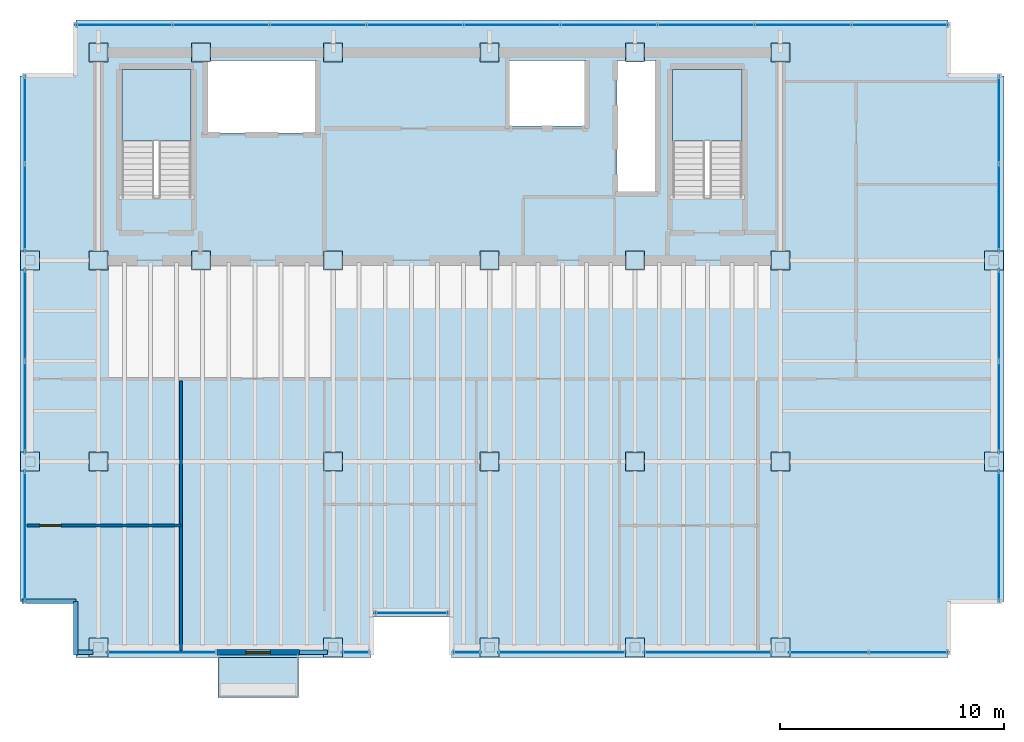
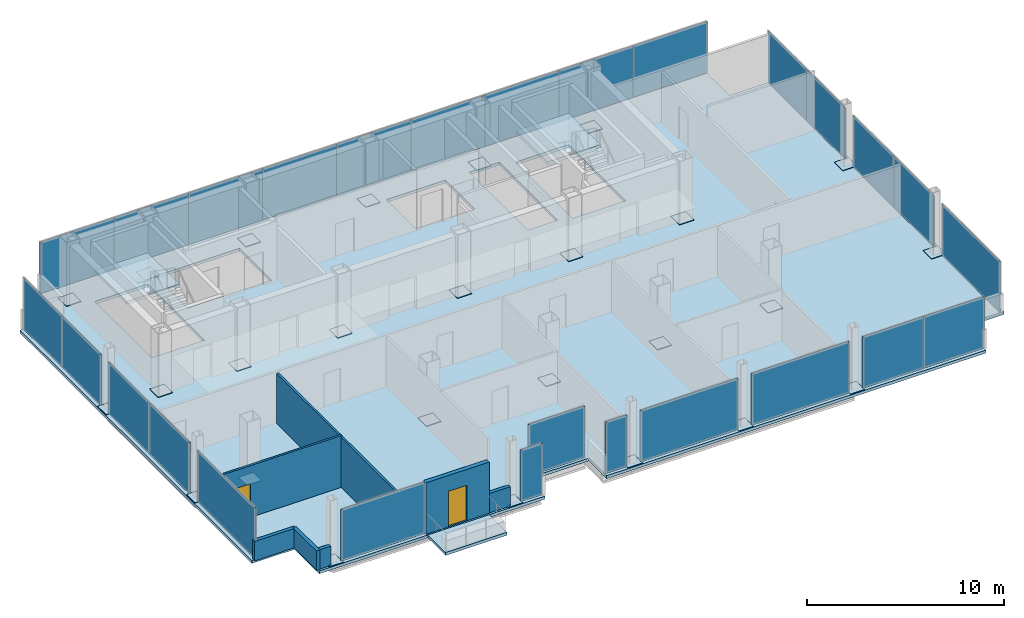
# One storey, part 12 of 15: 53 plates, 7 walls, 4 slabs, 2 doors, 7 openings, 16 elements without a shape of their own.
"""IFC4 building model written with IfcOpenShell, lengths in metres."""

from ifc_helpers import new_model, si_unit, direction, frame, frame_2d, origin, origin_2d, place, context, subcontext, project, spatial, polyline, rectangle, outline, extrude, material, layer, layer_set, type_object, element, fill, aggregate, save


model = new_model("IFC4")

# Units and contexts
model_context = context("Model", 3, precision=1e-05, world=origin(), true_north=direction((0.0, 1.0)))
body_context = subcontext(model_context, "Body", "Model", "MODEL_VIEW")
ifc_project = project(units=[si_unit("LENGTHUNIT", "METRE"), si_unit("AREAUNIT", "SQUARE_METRE"), si_unit("VOLUMEUNIT", "CUBIC_METRE"), si_unit("PLANEANGLEUNIT", "RADIAN"), si_unit("MASSUNIT", "GRAM", prefix="KILO")], contexts=[model_context])

# Site, building, storey
site_placement = place(None, origin())
site = spatial("IfcSite", under=ifc_project, at=site_placement, CompositionType="ELEMENT")
building_placement = place(site_placement, origin())
building = spatial("IfcBuilding", under=site, at=building_placement, Name="Noeulbin Bourse Tower", CompositionType="ELEMENT")
storey_placement = place(building_placement, frame((0.0, 0.0, 218.89990234375)))
storey = spatial("IfcBuildingStorey", under=building, at=storey_placement, Name="L54", CompositionType="ELEMENT", Elevation=218.89990234375)

# Curtain wall, plate
ifc_material_1 = material(Name="High-Selectivity Low-Iron Glazing", Category="glass")
curtain_wall_type = type_object("IfcCurtainWallType", Name="CW-SYS-4", PredefinedType="NOTDEFINED", material=ifc_material_1)
curtain_wall_1_placement = place(storey_placement, origin())
curtain_wall_1 = element("IfcCurtainWall", 1, at=curtain_wall_1_placement, inside=storey, type_object=curtain_wall_type, Name="Unitised Curtain Wall CW-L54-SREC", PredefinedType="NOTDEFINED")
ifc_layer_1 = layer(ifc_material_1, 0.035888671875)
ifc_layer_set_1 = layer_set([ifc_layer_1], Name="High-Selectivity Low-Iron Glazing")
plate_type_1 = type_object("IfcPlateType", Name="CW-SYS-4-PNL", PredefinedType="CURTAIN_PANEL", material=ifc_layer_set_1)
plate_1_placement = place(storey_placement, frame((27.5, 13.22998046875, 0.0), z_axis=(0.0, 0.0, 1.0), x_axis=(1.0, 0.0, 0.0)))
plate_1 = element("IfcPlate", 2, at=plate_1_placement, type_object=plate_type_1, Name="Glazed Curtain Panel CW-L54-SREC-P00", PredefinedType="CURTAIN_PANEL", context=body_context, shape_type="SweptSolid", body=[
    extrude(rectangle(XDim=3.300048828125, YDim=0.035888671875, at=origin_2d()), origin(), (0.0, 0.0, 1.0), 3.179931640625),
])
aggregate(curtain_wall_1, [plate_1])

curtain_wall_2_placement = place(storey_placement, origin())
curtain_wall_2 = element("IfcCurtainWall", 3, at=curtain_wall_2_placement, inside=storey, type_object=curtain_wall_type, Name="Unitised Curtain Wall CW-L54-S1", PredefinedType="NOTDEFINED")
plate_2_placement = place(storey_placement, frame((16.342529296875, 11.469970703125, 0.0), z_axis=(0.0, 0.0, 1.0), x_axis=(1.0, 0.0, 0.0)))
plate_2 = element("IfcPlate", 4, at=plate_2_placement, type_object=plate_type_1, Name="Glazed Curtain Panel CW-L54-S1-P00", PredefinedType="CURTAIN_PANEL", context=body_context, shape_type="SweptSolid", body=[
    extrude(rectangle(XDim=4.9150390625, YDim=0.035888671875, at=origin_2d()), origin(), (0.0, 0.0, 1.0), 3.179931640625),
])
aggregate(curtain_wall_2, [plate_2])

curtain_wall_3_placement = place(storey_placement, origin())
curtain_wall_3 = element("IfcCurtainWall", 5, at=curtain_wall_3_placement, inside=storey, type_object=curtain_wall_type, Name="Unitised Curtain Wall CW-L54-S2", PredefinedType="NOTDEFINED")
plate_3_placement = place(storey_placement, frame((25.017578125, 11.469970703125, 0.0), z_axis=(0.0, 0.0, 1.0), x_axis=(1.0, 0.0, 0.0)))
plate_3 = element("IfcPlate", 6, at=plate_3_placement, type_object=plate_type_1, Name="Glazed Curtain Panel CW-L54-S2-P00", PredefinedType="CURTAIN_PANEL", context=body_context, shape_type="SweptSolid", body=[
    extrude(rectangle(XDim=1.264892578125, YDim=0.035888671875, at=origin_2d()), origin(), (0.0, 0.0, 1.0), 3.179931640625),
])
aggregate(curtain_wall_3, [plate_3])

curtain_wall_4_placement = place(storey_placement, origin())
curtain_wall_4 = element("IfcCurtainWall", 7, at=curtain_wall_4_placement, inside=storey, type_object=curtain_wall_type, Name="Unitised Curtain Wall CW-L54-S3-S1", PredefinedType="NOTDEFINED")
plate_4_placement = place(storey_placement, frame((29.982421875, 11.469970703125, 0.0), z_axis=(0.0, 0.0, 1.0), x_axis=(1.0, 0.0, 0.0)))
plate_4 = element("IfcPlate", 8, at=plate_4_placement, type_object=plate_type_1, Name="Glazed Curtain Panel CW-L54-S3-S1-P00", PredefinedType="CURTAIN_PANEL", context=body_context, shape_type="SweptSolid", body=[
    extrude(rectangle(XDim=1.264892578125, YDim=0.035888671875, at=origin_2d()), origin(), (0.0, 0.0, 1.0), 3.179931640625),
])
aggregate(curtain_wall_4, [plate_4])

curtain_wall_5_placement = place(storey_placement, origin())
curtain_wall_5 = element("IfcCurtainWall", 9, at=curtain_wall_5_placement, inside=storey, type_object=curtain_wall_type, Name="Unitised Curtain Wall CW-L54-S3-S2", PredefinedType="NOTDEFINED")
plate_5_placement = place(storey_placement, frame((34.25, 11.469970703125, 0.0), z_axis=(0.0, 0.0, 1.0), x_axis=(1.0, 0.0, 0.0)))
plate_5 = element("IfcPlate", 10, at=plate_5_placement, type_object=plate_type_1, Name="Glazed Curtain Panel CW-L54-S3-S2-P00", PredefinedType="CURTAIN_PANEL", context=body_context, shape_type="SweptSolid", body=[
    extrude(rectangle(XDim=5.72998046875, YDim=0.035888671875, at=origin_2d()), origin(), (0.0, 0.0, 1.0), 3.179931640625),
])
aggregate(curtain_wall_5, [plate_5])

curtain_wall_6_placement = place(storey_placement, origin())
curtain_wall_6 = element("IfcCurtainWall", 11, at=curtain_wall_6_placement, inside=storey, type_object=curtain_wall_type, Name="Unitised Curtain Wall CW-L54-S3-S3", PredefinedType="NOTDEFINED")
plate_6_placement = place(storey_placement, frame((40.75, 11.469970703125, 0.0), z_axis=(0.0, 0.0, 1.0), x_axis=(1.0, 0.0, 0.0)))
plate_6 = element("IfcPlate", 12, at=plate_6_placement, type_object=plate_type_1, Name="Glazed Curtain Panel CW-L54-S3-S3-P00", PredefinedType="CURTAIN_PANEL", context=body_context, shape_type="SweptSolid", body=[
    extrude(rectangle(XDim=5.72998046875, YDim=0.035888671875, at=origin_2d()), origin(), (0.0, 0.0, 1.0), 3.179931640625),
])
aggregate(curtain_wall_6, [plate_6])

# Curtain wall, plates
curtain_wall_7_placement = place(storey_placement, origin())
curtain_wall_7 = element("IfcCurtainWall", 13, at=curtain_wall_7_placement, inside=storey, type_object=curtain_wall_type, Name="Unitised Curtain Wall CW-L54-S3-S4", PredefinedType="NOTDEFINED")
plate_7_placement = place(storey_placement, frame((46.168701171875, 11.469970703125, 0.0), z_axis=(0.0, 0.0, 1.0), x_axis=(1.0, 0.0, 0.0)))
plate_7 = element("IfcPlate", 14, at=plate_7_placement, type_object=plate_type_1, Name="Glazed Curtain Panel CW-L54-S3-S4-P00", PredefinedType="CURTAIN_PANEL", context=body_context, shape_type="SweptSolid", body=[
    extrude(rectangle(XDim=3.5673828125, YDim=0.035888671875, at=origin_2d()), origin(), (0.0, 0.0, 1.0), 3.179931640625),
])
plate_8_placement = place(storey_placement, frame((49.736083984375, 11.469970703125, 0.0), z_axis=(0.0, 0.0, 1.0), x_axis=(1.0, 0.0, 0.0)))
plate_8 = element("IfcPlate", 15, at=plate_8_placement, type_object=plate_type_1, Name="Glazed Curtain Panel CW-L54-S3-S4-P01", PredefinedType="CURTAIN_PANEL", context=body_context, shape_type="SweptSolid", body=[
    extrude(rectangle(XDim=3.5673828125, YDim=0.035888671875, at=origin_2d()), origin(), (0.0, 0.0, 1.0), 3.179931640625),
])
aggregate(curtain_wall_7, [plate_7, plate_8])

curtain_wall_8_placement = place(storey_placement, origin())
curtain_wall_8 = element("IfcCurtainWall", 16, at=curtain_wall_8_placement, inside=storey, type_object=curtain_wall_type, Name="Unitised Curtain Wall CW-L54-N", PredefinedType="NOTDEFINED")
plate_9_placement = place(storey_placement, frame((14.64892578125, 39.530029296875, 0.0), z_axis=(0.0, 0.0, 1.0), x_axis=(1.0, 0.0, 0.0)))
plate_9 = element("IfcPlate", 17, at=plate_9_placement, type_object=plate_type_1, Name="Glazed Curtain Panel CW-L54-N-P00", PredefinedType="CURTAIN_PANEL", context=body_context, shape_type="SweptSolid", body=[
    extrude(rectangle(XDim=4.337890625, YDim=0.035888671875, at=origin_2d()), origin(), (0.0, 0.0, 1.0), 3.179931640625),
])
plate_10_placement = place(storey_placement, frame((18.98681640625, 39.530029296875, 0.0), z_axis=(0.0, 0.0, 1.0), x_axis=(1.0, 0.0, 0.0)))
plate_10 = element("IfcPlate", 18, at=plate_10_placement, type_object=plate_type_1, Name="Glazed Curtain Panel CW-L54-N-P01", PredefinedType="CURTAIN_PANEL", context=body_context, shape_type="SweptSolid", body=[
    extrude(rectangle(XDim=4.337890625, YDim=0.035888671875, at=origin_2d()), origin(), (0.0, 0.0, 1.0), 3.179931640625),
])
plate_11_placement = place(storey_placement, frame((23.324462890625, 39.530029296875, 0.0), z_axis=(0.0, 0.0, 1.0), x_axis=(1.0, 0.0, 0.0)))
plate_11 = element("IfcPlate", 19, at=plate_11_placement, type_object=plate_type_1, Name="Glazed Curtain Panel CW-L54-N-P02", PredefinedType="CURTAIN_PANEL", context=body_context, shape_type="SweptSolid", body=[
    extrude(rectangle(XDim=4.337890625, YDim=0.035888671875, at=origin_2d()), origin(), (0.0, 0.0, 1.0), 3.179931640625),
])
plate_12_placement = place(storey_placement, frame((27.662109375, 39.530029296875, 0.0), z_axis=(0.0, 0.0, 1.0), x_axis=(1.0, 0.0, 0.0)))
plate_12 = element("IfcPlate", 20, at=plate_12_placement, type_object=plate_type_1, Name="Glazed Curtain Panel CW-L54-N-P03", PredefinedType="CURTAIN_PANEL", context=body_context, shape_type="SweptSolid", body=[
    extrude(rectangle(XDim=4.337890625, YDim=0.035888671875, at=origin_2d()), origin(), (0.0, 0.0, 1.0), 3.179931640625),
])
plate_13_placement = place(storey_placement, frame((32.0, 39.530029296875, 0.0), z_axis=(0.0, 0.0, 1.0), x_axis=(1.0, 0.0, 0.0)))
plate_13 = element("IfcPlate", 21, at=plate_13_placement, type_object=plate_type_1, Name="Glazed Curtain Panel CW-L54-N-P04", PredefinedType="CURTAIN_PANEL", context=body_context, shape_type="SweptSolid", body=[
    extrude(rectangle(XDim=4.337890625, YDim=0.035888671875, at=origin_2d()), origin(), (0.0, 0.0, 1.0), 3.179931640625),
])
plate_14_placement = place(storey_placement, frame((36.337890625, 39.530029296875, 0.0), z_axis=(0.0, 0.0, 1.0), x_axis=(1.0, 0.0, 0.0)))
plate_14 = element("IfcPlate", 22, at=plate_14_placement, type_object=plate_type_1, Name="Glazed Curtain Panel CW-L54-N-P05", PredefinedType="CURTAIN_PANEL", context=body_context, shape_type="SweptSolid", body=[
    extrude(rectangle(XDim=4.337890625, YDim=0.035888671875, at=origin_2d()), origin(), (0.0, 0.0, 1.0), 3.179931640625),
])
plate_15_placement = place(storey_placement, frame((40.675537109375, 39.530029296875, 0.0), z_axis=(0.0, 0.0, 1.0), x_axis=(1.0, 0.0, 0.0)))
plate_15 = element("IfcPlate", 23, at=plate_15_placement, type_object=plate_type_1, Name="Glazed Curtain Panel CW-L54-N-P06", PredefinedType="CURTAIN_PANEL", context=body_context, shape_type="SweptSolid", body=[
    extrude(rectangle(XDim=4.337890625, YDim=0.035888671875, at=origin_2d()), origin(), (0.0, 0.0, 1.0), 3.179931640625),
])
plate_16_placement = place(storey_placement, frame((45.01318359375, 39.530029296875, 0.0), z_axis=(0.0, 0.0, 1.0), x_axis=(1.0, 0.0, 0.0)))
plate_16 = element("IfcPlate", 24, at=plate_16_placement, type_object=plate_type_1, Name="Glazed Curtain Panel CW-L54-N-P07", PredefinedType="CURTAIN_PANEL", context=body_context, shape_type="SweptSolid", body=[
    extrude(rectangle(XDim=4.337890625, YDim=0.035888671875, at=origin_2d()), origin(), (0.0, 0.0, 1.0), 3.179931640625),
])
plate_17_placement = place(storey_placement, frame((49.35107421875, 39.530029296875, 0.0), z_axis=(0.0, 0.0, 1.0), x_axis=(1.0, 0.0, 0.0)))
plate_17 = element("IfcPlate", 25, at=plate_17_placement, type_object=plate_type_1, Name="Glazed Curtain Panel CW-L54-N-P08", PredefinedType="CURTAIN_PANEL", context=body_context, shape_type="SweptSolid", body=[
    extrude(rectangle(XDim=4.337890625, YDim=0.035888671875, at=origin_2d()), origin(), (0.0, 0.0, 1.0), 3.179931640625),
])
aggregate(curtain_wall_8, [plate_9, plate_10, plate_11, plate_12, plate_13, plate_14, plate_15, plate_16, plate_17])

# Curtain wall, plate
curtain_wall_9_placement = place(storey_placement, origin())
curtain_wall_9 = element("IfcCurtainWall", 26, at=curtain_wall_9_placement, inside=storey, type_object=curtain_wall_type, Name="Unitised Curtain Wall CW-L54-W-S1", PredefinedType="NOTDEFINED")
plate_18_placement = place(storey_placement, frame((10.219970703125, 16.672607421875, 0.0), z_axis=(0.0, 0.0, 1.0), x_axis=(0.0, 1.0, 0.0)))
plate_18 = element("IfcPlate", 27, at=plate_18_placement, type_object=plate_type_1, Name="Glazed Curtain Panel CW-L54-W-S1-P00", PredefinedType="CURTAIN_PANEL", context=body_context, shape_type="SweptSolid", body=[
    extrude(rectangle(XDim=5.885009765625, YDim=0.035888671875, at=origin_2d()), origin(), (0.0, 0.0, 1.0), 3.179931640625),
])
aggregate(curtain_wall_9, [plate_18])

# Curtain wall, plates
curtain_wall_10_placement = place(storey_placement, origin())
curtain_wall_10 = element("IfcCurtainWall", 28, at=curtain_wall_10_placement, inside=storey, type_object=curtain_wall_type, Name="Unitised Curtain Wall CW-L54-W-S2", PredefinedType="NOTDEFINED")
plate_19_placement = place(storey_placement, frame((10.219970703125, 22.4423828125, 0.0), z_axis=(0.0, 0.0, 1.0), x_axis=(0.0, 1.0, 0.0)))
plate_19 = element("IfcPlate", 29, at=plate_19_placement, type_object=plate_type_1, Name="Glazed Curtain Panel CW-L54-W-S2-P00", PredefinedType="CURTAIN_PANEL", context=body_context, shape_type="SweptSolid", body=[
    extrude(rectangle(XDim=4.114990234375, YDim=0.035888671875, at=origin_2d()), origin(), (0.0, 0.0, 1.0), 3.179931640625),
])
plate_20_placement = place(storey_placement, frame((10.219970703125, 26.5576171875, 0.0), z_axis=(0.0, 0.0, 1.0), x_axis=(0.0, 1.0, 0.0)))
plate_20 = element("IfcPlate", 30, at=plate_20_placement, type_object=plate_type_1, Name="Glazed Curtain Panel CW-L54-W-S2-P01", PredefinedType="CURTAIN_PANEL", context=body_context, shape_type="SweptSolid", body=[
    extrude(rectangle(XDim=4.114990234375, YDim=0.035888671875, at=origin_2d()), origin(), (0.0, 0.0, 1.0), 3.179931640625),
])
aggregate(curtain_wall_10, [plate_19, plate_20])

curtain_wall_11_placement = place(storey_placement, origin())
curtain_wall_11 = element("IfcCurtainWall", 31, at=curtain_wall_11_placement, inside=storey, type_object=curtain_wall_type, Name="Unitised Curtain Wall CW-L54-W-S3", PredefinedType="NOTDEFINED")
plate_21_placement = place(storey_placement, frame((10.219970703125, 31.356201171875, 0.0), z_axis=(0.0, 0.0, 1.0), x_axis=(0.0, 1.0, 0.0)))
plate_21 = element("IfcPlate", 32, at=plate_21_placement, type_object=plate_type_1, Name="Glazed Curtain Panel CW-L54-W-S3-P00", PredefinedType="CURTAIN_PANEL", context=body_context, shape_type="SweptSolid", body=[
    extrude(rectangle(XDim=3.9423828125, YDim=0.035888671875, at=origin_2d()), origin(), (0.0, 0.0, 1.0), 3.179931640625),
])
plate_22_placement = place(storey_placement, frame((10.219970703125, 35.298828125, 0.0), z_axis=(0.0, 0.0, 1.0), x_axis=(0.0, 1.0, 0.0)))
plate_22 = element("IfcPlate", 33, at=plate_22_placement, type_object=plate_type_1, Name="Glazed Curtain Panel CW-L54-W-S3-P01", PredefinedType="CURTAIN_PANEL", context=body_context, shape_type="SweptSolid", body=[
    extrude(rectangle(XDim=3.9423828125, YDim=0.035888671875, at=origin_2d()), origin(), (0.0, 0.0, 1.0), 3.179931640625),
])
aggregate(curtain_wall_11, [plate_21, plate_22])

# Curtain wall, plate
curtain_wall_12_placement = place(storey_placement, origin())
curtain_wall_12 = element("IfcCurtainWall", 34, at=curtain_wall_12_placement, inside=storey, type_object=curtain_wall_type, Name="Unitised Curtain Wall CW-L54-E-S1", PredefinedType="NOTDEFINED")
plate_23_placement = place(storey_placement, frame((53.780029296875, 16.672607421875, 0.0), z_axis=(0.0, 0.0, 1.0), x_axis=(0.0, 1.0, 0.0)))
plate_23 = element("IfcPlate", 35, at=plate_23_placement, type_object=plate_type_1, Name="Glazed Curtain Panel CW-L54-E-S1-P00", PredefinedType="CURTAIN_PANEL", context=body_context, shape_type="SweptSolid", body=[
    extrude(rectangle(XDim=5.885009765625, YDim=0.035888671875, at=origin_2d()), origin(), (0.0, 0.0, 1.0), 3.179931640625),
])
aggregate(curtain_wall_12, [plate_23])

# Curtain wall, plates
curtain_wall_13_placement = place(storey_placement, origin())
curtain_wall_13 = element("IfcCurtainWall", 36, at=curtain_wall_13_placement, inside=storey, type_object=curtain_wall_type, Name="Unitised Curtain Wall CW-L54-E-S2", PredefinedType="NOTDEFINED")
plate_24_placement = place(storey_placement, frame((53.780029296875, 22.4423828125, 0.0), z_axis=(0.0, 0.0, 1.0), x_axis=(0.0, 1.0, 0.0)))
plate_24 = element("IfcPlate", 37, at=plate_24_placement, type_object=plate_type_1, Name="Glazed Curtain Panel CW-L54-E-S2-P00", PredefinedType="CURTAIN_PANEL", context=body_context, shape_type="SweptSolid", body=[
    extrude(rectangle(XDim=4.114990234375, YDim=0.035888671875, at=origin_2d()), origin(), (0.0, 0.0, 1.0), 3.179931640625),
])
plate_25_placement = place(storey_placement, frame((53.780029296875, 26.5576171875, 0.0), z_axis=(0.0, 0.0, 1.0), x_axis=(0.0, 1.0, 0.0)))
plate_25 = element("IfcPlate", 38, at=plate_25_placement, type_object=plate_type_1, Name="Glazed Curtain Panel CW-L54-E-S2-P01", PredefinedType="CURTAIN_PANEL", context=body_context, shape_type="SweptSolid", body=[
    extrude(rectangle(XDim=4.114990234375, YDim=0.035888671875, at=origin_2d()), origin(), (0.0, 0.0, 1.0), 3.179931640625),
])
aggregate(curtain_wall_13, [plate_24, plate_25])

curtain_wall_14_placement = place(storey_placement, origin())
curtain_wall_14 = element("IfcCurtainWall", 39, at=curtain_wall_14_placement, inside=storey, type_object=curtain_wall_type, Name="Unitised Curtain Wall CW-L54-E-S3", PredefinedType="NOTDEFINED")
plate_26_placement = place(storey_placement, frame((53.780029296875, 31.356201171875, 0.0), z_axis=(0.0, 0.0, 1.0), x_axis=(0.0, 1.0, 0.0)))
plate_26 = element("IfcPlate", 40, at=plate_26_placement, type_object=plate_type_1, Name="Glazed Curtain Panel CW-L54-E-S3-P00", PredefinedType="CURTAIN_PANEL", context=body_context, shape_type="SweptSolid", body=[
    extrude(rectangle(XDim=3.9423828125, YDim=0.035888671875, at=origin_2d()), origin(), (0.0, 0.0, 1.0), 3.179931640625),
])
plate_27_placement = place(storey_placement, frame((53.780029296875, 35.298828125, 0.0), z_axis=(0.0, 0.0, 1.0), x_axis=(0.0, 1.0, 0.0)))
plate_27 = element("IfcPlate", 41, at=plate_27_placement, type_object=plate_type_1, Name="Glazed Curtain Panel CW-L54-E-S3-P01", PredefinedType="CURTAIN_PANEL", context=body_context, shape_type="SweptSolid", body=[
    extrude(rectangle(XDim=3.9423828125, YDim=0.035888671875, at=origin_2d()), origin(), (0.0, 0.0, 1.0), 3.179931640625),
])
aggregate(curtain_wall_14, [plate_26, plate_27])

# Plates
ifc_material_2 = material(Name="Steel S355", Category="steel")
ifc_layer_2 = layer(ifc_material_2, 0.030029296875)
ifc_layer_set_2 = layer_set([ifc_layer_2], Name="Steel S355")
plate_type_2 = type_object("IfcPlateType", Name="PLT-BN1", PredefinedType="USERDEFINED", material=ifc_layer_set_2)
for number, where, z_axis, x_axis, name in (
    (42, (13.5, 29.0, 0.0048828125), (0.0, 0.0, 1.0), (1.0, 0.0, 0.0), "Mega-Column Splice Plate BN1-L54-01"),
    (43, (13.5, 38.300048828125, 0.0048828125), (0.0, 0.0, 1.0), (1.0, 0.0, 0.0), "Mega-Column Splice Plate BN1-L54-02"),
    (44, (18.10009765625, 29.0, 0.0048828125), (0.0, 0.0, 1.0), (1.0, 0.0, 0.0), "Mega-Column Splice Plate BN1-L54-03"),
    (45, (18.10009765625, 38.300048828125, 0.0048828125), (0.0, 0.0, 1.0), (1.0, 0.0, 0.0), "Mega-Column Splice Plate BN1-L54-04"),
    (46, (24.0, 29.0, 0.0048828125), (0.0, 0.0, 1.0), (1.0, 0.0, 0.0), "Mega-Column Splice Plate BN1-L54-05"),
    (47, (24.0, 38.300048828125, 0.0048828125), (0.0, 0.0, 1.0), (1.0, 0.0, 0.0), "Mega-Column Splice Plate BN1-L54-06"),
    (48, (31.0, 29.0, 0.0048828125), (0.0, 0.0, 1.0), (1.0, 0.0, 0.0), "Mega-Column Splice Plate BN1-L54-07"),
    (49, (31.0, 38.300048828125, 0.0048828125), (0.0, 0.0, 1.0), (1.0, 0.0, 0.0), "Mega-Column Splice Plate BN1-L54-08"),
    (50, (37.5, 29.0, 0.0048828125), (0.0, 0.0, 1.0), (1.0, 0.0, 0.0), "Mega-Column Splice Plate BN1-L54-09"),
    (51, (37.5, 38.300048828125, 0.0048828125), (0.0, 0.0, 1.0), (1.0, 0.0, 0.0), "Mega-Column Splice Plate BN1-L54-10"),
    (52, (44.0, 29.0, 0.0048828125), (0.0, 0.0, 1.0), (1.0, 0.0, 0.0), "Mega-Column Splice Plate BN1-L54-11"),
    (53, (44.0, 38.300048828125, 0.0048828125), (0.0, 0.0, 1.0), (1.0, 0.0, 0.0), "Mega-Column Splice Plate BN1-L54-12"),
    (54, (13.5, 20.0, 0.0048828125), (0.0, 0.0, 1.0), (1.0, 0.0, 0.0), "Mega-Column Splice Plate BN1-L54-13"),
    (55, (24.0, 20.0, 0.0048828125), (0.0, 0.0, 1.0), (1.0, 0.0, 0.0), "Mega-Column Splice Plate BN1-L54-14"),
    (56, (31.0, 20.0, 0.0048828125), (0.0, 0.0, 1.0), (1.0, 0.0, 0.0), "Mega-Column Splice Plate BN1-L54-15"),
    (57, (37.5, 20.0, 0.0048828125), (0.0, 0.0, 1.0), (1.0, 0.0, 0.0), "Mega-Column Splice Plate BN1-L54-16"),
    (58, (44.0, 20.0, 0.0048828125), (0.0, 0.0, 1.0), (1.0, 0.0, 0.0), "Mega-Column Splice Plate BN1-L54-17"),
    (59, (10.449951171875, 20.0, 0.0048828125), (0.0, 0.0, 1.0), (1.0, 0.0, 0.0), "Perimeter Column Splice Plate BN1-L54-01"),
    (60, (10.449951171875, 29.0, 0.0048828125), (0.0, 0.0, 1.0), (1.0, 0.0, 0.0), "Perimeter Column Splice Plate BN1-L54-02"),
    (61, (13.5, 11.699951171875, 0.0048828125), (0.0, 0.0, 1.0), (1.0, 0.0, 0.0), "Perimeter Column Splice Plate BN1-L54-03"),
    (62, (24.0, 11.699951171875, 0.0048828125), (0.0, 0.0, 1.0), (1.0, 0.0, 0.0), "Perimeter Column Splice Plate BN1-L54-04"),
    (63, (31.0, 11.699951171875, 0.0048828125), (0.0, 0.0, 1.0), (1.0, 0.0, 0.0), "Perimeter Column Splice Plate BN1-L54-05"),
    (64, (37.5, 11.699951171875, 0.0048828125), (0.0, 0.0, 1.0), (1.0, 0.0, 0.0), "Perimeter Column Splice Plate BN1-L54-06"),
    (65, (44.0, 11.699951171875, 0.0048828125), (0.0, 0.0, 1.0), (1.0, 0.0, 0.0), "Perimeter Column Splice Plate BN1-L54-07"),
    (66, (53.550048828125, 20.0, 0.0048828125), (0.0, 0.0, 1.0), (1.0, 0.0, 0.0), "Perimeter Column Splice Plate BN1-L54-08"),
    (67, (53.550048828125, 29.0, 0.0048828125), (0.0, 0.0, 1.0), (1.0, 0.0, 0.0), "Perimeter Column Splice Plate BN1-L54-09"),
):
    element("IfcPlate", number, at=place(storey_placement, frame(where, z_axis=z_axis, x_axis=x_axis)), inside=storey, type_object=plate_type_2, Name=name, ObjectType="SPLICE PLATE", PredefinedType="USERDEFINED", context=body_context, shape_type="SweptSolid", body=[
        extrude(rectangle(XDim=0.85009765625, YDim=0.85009765625, at=origin_2d()), origin(), (0.0, 0.0, 1.0), 0.030029296875),
    ])

# Stair, slab
ifc_material_3 = material(Name="Concrete C40/50", Category="concrete")
stair_type = type_object("IfcStairType", Name="STR-CORE-1560", PredefinedType="HALF_TURN_STAIR", material=ifc_material_3)
stair_1_placement = place(storey_placement, origin())
stair_1 = element("IfcStair", 68, at=stair_1_placement, inside=storey, type_object=stair_type, Name="L54 ST-1", PredefinedType="HALF_TURN_STAIR")
ifc_layer_3 = layer(ifc_material_3, 0.199951171875)
ifc_layer_set_3 = layer_set([ifc_layer_3], Name="Concrete C40/50")
slab_type_1 = type_object("IfcSlabType", Name="SLB-LND-200", PredefinedType="LANDING", material=ifc_layer_set_3)
slab_1_placement = place(storey_placement, frame((0.0, 0.0, 1.75)))
slab_1 = element("IfcSlab", 69, at=slab_1_placement, type_object=slab_type_1, Name="ST-1 landing 1", PredefinedType="LANDING", context=body_context, shape_type="SweptSolid", body=[
    extrude(outline(polyline([(17.64990234375, 34.330078125), (17.64990234375, 37.5439453125), (14.550048828125, 37.5439453125), (14.550048828125, 34.330078125), (17.64990234375, 34.330078125)])), origin(), (0.0, 0.0, 1.0), 0.2001953125),
])
aggregate(stair_1, [slab_1])

stair_2_placement = place(storey_placement, origin())
stair_2 = element("IfcStair", 70, at=stair_2_placement, inside=storey, type_object=stair_type, Name="L54 ST-2", PredefinedType="HALF_TURN_STAIR")
slab_2_placement = place(storey_placement, frame((0.0, 0.0, 1.75)))
slab_2 = element("IfcSlab", 71, at=slab_2_placement, type_object=slab_type_1, Name="ST-2 landing 1", PredefinedType="LANDING", context=body_context, shape_type="SweptSolid", body=[
    extrude(outline(polyline([(42.280029296875, 34.330078125), (42.280029296875, 37.5439453125), (39.179931640625, 37.5439453125), (39.179931640625, 34.330078125), (42.280029296875, 34.330078125)])), origin(), (0.0, 0.0, 1.0), 0.2001953125),
])
aggregate(stair_2, [slab_2])

# Slab, openings
ifc_layer_4 = layer(ifc_material_3, 0.179931640625)
ifc_layer_set_4 = layer_set([ifc_layer_4], Name="Concrete C40/50")
slab_type_2 = type_object("IfcSlabType", Name="SLB-TYP-180", PredefinedType="FLOOR", material=ifc_layer_set_4)
slab_3_placement = place(storey_placement, frame((0.0, 0.0, -0.179931640625)))
slab_3 = element("IfcSlab", 72, at=slab_3_placement, inside=storey, type_object=slab_type_2, Name="Tower Structural Floor Slab L54", PredefinedType="FLOOR", context=body_context, shape_type="SweptSolid", body=[
    extrude(outline(polyline([(12.5, 11.25), (25.699951171875, 11.25), (25.699951171875, 13.050048828125), (29.300048828125, 13.050048828125), (29.300048828125, 11.25), (51.5, 11.25), (51.5, 13.75), (54.0, 13.75), (54.0, 37.25), (51.5, 37.25), (51.5, 39.75), (12.5, 39.75), (12.5, 37.25), (10.0, 37.25), (10.0, 13.75), (12.5, 13.75), (12.5, 11.25)]), holes=[polyline([(17.64990234375, 31.81005859375), (17.64990234375, 37.5439453125), (14.550048828125, 37.5439453125), (14.550048828125, 31.81005859375), (17.64990234375, 31.81005859375)]), polyline([(42.280029296875, 31.81005859375), (42.280029296875, 37.5439453125), (39.179931640625, 37.5439453125), (39.179931640625, 31.81005859375), (42.280029296875, 31.81005859375)]), polyline([(18.35009765625, 34.699951171875), (23.25, 34.699951171875), (23.25, 37.949951171875), (18.35009765625, 37.949951171875), (18.35009765625, 34.699951171875)]), polyline([(36.699951171875, 32.050048828125), (38.449951171875, 32.050048828125), (38.449951171875, 37.949951171875), (36.699951171875, 37.949951171875), (36.699951171875, 32.050048828125)]), polyline([(31.85009765625, 35.0), (35.300048828125, 35.0), (35.300048828125, 37.949951171875), (31.85009765625, 37.949951171875), (31.85009765625, 35.0)])]), origin(), (0.0, 0.0, 1.0), 0.179931640625),
])
opening_1_placement = place(slab_3_placement, frame((0.0, 0.0, -0.010009765625)))
element("IfcOpeningElement", 73, at=opening_1_placement, cuts=slab_3, Name="Slab Shaft Opening SLB-L54-TWR-1", PredefinedType="OPENING", context=body_context, shape_type="SweptSolid", body=[
    extrude(outline(polyline([(17.64990234375, 31.81005859375), (17.64990234375, 37.5439453125), (14.550048828125, 37.5439453125), (14.550048828125, 31.81005859375), (17.64990234375, 31.81005859375)])), origin(), (0.0, 0.0, 1.0), 0.199951171875),
])
opening_2_placement = place(slab_3_placement, frame((0.0, 0.0, -0.010009765625)))
element("IfcOpeningElement", 74, at=opening_2_placement, cuts=slab_3, Name="Slab Shaft Opening SLB-L54-TWR-2", PredefinedType="OPENING", context=body_context, shape_type="SweptSolid", body=[
    extrude(outline(polyline([(42.280029296875, 31.81005859375), (42.280029296875, 37.5439453125), (39.179931640625, 37.5439453125), (39.179931640625, 31.81005859375), (42.280029296875, 31.81005859375)])), origin(), (0.0, 0.0, 1.0), 0.199951171875),
])
opening_3_placement = place(slab_3_placement, frame((0.0, 0.0, -0.010009765625)))
element("IfcOpeningElement", 75, at=opening_3_placement, cuts=slab_3, Name="Slab Shaft Opening SLB-L54-TWR-3", PredefinedType="OPENING", context=body_context, shape_type="SweptSolid", body=[
    extrude(outline(polyline([(18.35009765625, 34.699951171875), (23.25, 34.699951171875), (23.25, 37.949951171875), (18.35009765625, 37.949951171875), (18.35009765625, 34.699951171875)])), origin(), (0.0, 0.0, 1.0), 0.199951171875),
])
opening_4_placement = place(slab_3_placement, frame((0.0, 0.0, -0.010009765625)))
element("IfcOpeningElement", 76, at=opening_4_placement, cuts=slab_3, Name="Slab Shaft Opening SLB-L54-TWR-4", PredefinedType="OPENING", context=body_context, shape_type="SweptSolid", body=[
    extrude(outline(polyline([(36.699951171875, 32.050048828125), (38.449951171875, 32.050048828125), (38.449951171875, 37.949951171875), (36.699951171875, 37.949951171875), (36.699951171875, 32.050048828125)])), origin(), (0.0, 0.0, 1.0), 0.199951171875),
])
opening_5_placement = place(slab_3_placement, frame((0.0, 0.0, -0.010009765625)))
element("IfcOpeningElement", 77, at=opening_5_placement, cuts=slab_3, Name="Slab Shaft Opening SLB-L54-TWR-5", PredefinedType="OPENING", context=body_context, shape_type="SweptSolid", body=[
    extrude(outline(polyline([(31.85009765625, 35.0), (35.300048828125, 35.0), (35.300048828125, 37.949951171875), (31.85009765625, 37.949951171875), (31.85009765625, 35.0)])), origin(), (0.0, 0.0, 1.0), 0.199951171875),
])

# Slab
slab_4_placement = place(storey_placement, frame((0.0, 0.0, -0.179931640625)))
element("IfcSlab", 78, at=slab_4_placement, inside=storey, type_object=slab_type_2, Name="Cantilevered Tree-Balcony Slab L54", PredefinedType="FLOOR", context=body_context, shape_type="SweptSolid", body=[
    extrude(outline(polyline([(18.85009765625, 9.449951171875), (22.449951171875, 9.449951171875), (22.449951171875, 11.25), (18.85009765625, 11.25), (18.85009765625, 9.449951171875)])), origin(), (0.0, 0.0, 1.0), 0.179931640625),
])

# Wall, opening, door
ifc_material_4 = material(Name="Precast Concrete C40/50", Category="concrete")
ifc_layer_5 = layer(ifc_material_4, 0.25)
ifc_layer_set_5 = layer_set([ifc_layer_5], Name="Precast Concrete C40/50")
wall_type_1 = type_object("IfcWallType", Name="WAL-EXT-250", PredefinedType="STANDARD", material=ifc_layer_set_5)
wall_1_placement = place(storey_placement, frame((18.800048828125, 11.469970703125, 0.0), z_axis=(0.0, 0.0, 1.0), x_axis=(1.0, 0.0, 0.0)))
wall_1 = element("IfcWall", 79, at=wall_1_placement, inside=storey, type_object=wall_type_1, Name="Balcony Threshold Wall L54", PredefinedType="STANDARD", context=body_context, shape_type="SweptSolid", body=[
    extrude(rectangle(XDim=3.699951171875, YDim=0.25, at=frame_2d((1.85009765625, 0.0))), origin(), (0.0, 0.0, 1.0), 3.18017578125),
])
opening_6_placement = place(wall_1_placement, frame((1.300048828125, 0.0, 0.0)))
opening_6 = element("IfcOpeningElement", 80, at=opening_6_placement, cuts=wall_1, Name="Opening BD-11", PredefinedType="OPENING", context=body_context, shape_type="SweptSolid", body=[
    extrude(rectangle(XDim=1.10009765625, YDim=2.199951171875, at=frame_2d((0.550048828125, 1.10009765625))), frame((0.0, 0.135009765625, 0.0), z_axis=(0.0, -1.0, 0.0), x_axis=(1.0, 0.0, 0.0)), (0.0, 0.0, 1.0), 0.27001953125),
])
ifc_material_5 = material(Name="Thermally Broken Aluminium Framed Glass", Category="aluminium")
door_type_1 = type_object("IfcDoorType", Name="DR-BAL-1100", OperationType="SINGLE_SWING_LEFT", PredefinedType="DOOR", material=ifc_material_5)
door_1_placement = place(opening_6_placement, origin())
door_1 = element("IfcDoor", 81, at=door_1_placement, inside=storey, type_object=door_type_1, Name="Tree-Balcony Access Door BD-L54", OperationType="SINGLE_SWING_RIGHT", OverallHeight=2.199951171875, OverallWidth=1.10009765625, PredefinedType="DOOR", context=body_context, shape_type="SweptSolid", body=[
    extrude(rectangle(XDim=1.10009765625, YDim=2.199951171875, at=frame_2d((0.550048828125, 1.10009765625))), frame((0.0, 0.02490234375, 0.0), z_axis=(0.0, -1.0, 0.0), x_axis=(1.0, 0.0, 0.0)), (0.0, 0.0, 1.0), 0.050048828125),
])
fill(opening_6, door_1)

# Walls
ifc_layer_6 = layer(ifc_material_3, 0.199951171875)
ifc_layer_set_6 = layer_set([ifc_layer_6], Name="Concrete C40/50")
wall_type_2 = type_object("IfcWallType", Name="WAL-PAR-200", PredefinedType="PARAPET", material=ifc_layer_set_6)
wall_2_placement = place(storey_placement, frame((12.60009765625, 11.469970703125, 0.0), z_axis=(0.0, 0.0, 1.0), x_axis=(1.0, 0.0, 0.0)))
element("IfcWall", 82, at=wall_2_placement, inside=storey, type_object=wall_type_2, Name="Perimeter Pier Spandrel Parapet L54-S1", PredefinedType="PARAPET", context=body_context, shape_type="SweptSolid", body=[
    extrude(rectangle(XDim=0.65478515625, YDim=0.199951171875, at=frame_2d((0.327392578125, 0.0))), origin(), (0.0, 0.0, 1.0), 1.2001953125),
])
wall_3_placement = place(storey_placement, frame((22.5, 11.469970703125, 0.0), z_axis=(0.0, 0.0, 1.0), x_axis=(1.0, 0.0, 0.0)))
element("IfcWall", 83, at=wall_3_placement, inside=storey, type_object=wall_type_2, Name="Perimeter Pier Spandrel Parapet L54-S2", PredefinedType="PARAPET", context=body_context, shape_type="SweptSolid", body=[
    extrude(rectangle(XDim=1.2548828125, YDim=0.199951171875, at=frame_2d((0.62744140625, 0.0))), origin(), (0.0, 0.0, 1.0), 1.2001953125),
])
for number, where, z_axis, x_axis, name in (
    (84, (10.10009765625, 13.75, 0.0), (0.0, 0.0, 1.0), (1.0, 0.0, 0.0), "Corner Notch Parapet L54-SW1"),
    (85, (12.5, 13.75, 0.0), (0.0, 0.0, 1.0), (0.0, -1.0, 0.0), "Corner Notch Parapet L54-SW2"),
):
    element("IfcWall", number, at=place(storey_placement, frame(where, z_axis=z_axis, x_axis=x_axis)), inside=storey, type_object=wall_type_2, Name=name, PredefinedType="PARAPET", context=body_context, shape_type="SweptSolid", body=[
        extrude(rectangle(XDim=2.39990234375, YDim=0.199951171875, at=frame_2d((1.199951171875, 0.0))), origin(), (0.0, 0.0, 1.0), 1.2001953125),
    ])

# Wall, opening, door
ifc_material_6 = material(Name="Steel Stud Gypsum Partition", Category="steel")
ifc_layer_7 = layer(ifc_material_6, 0.1201171875)
ifc_layer_set_7 = layer_set([ifc_layer_7], Name="Steel Stud Gypsum Partition")
wall_type_3 = type_object("IfcWallType", Name="WAL-PRT-120", PredefinedType="PARTITIONING", material=ifc_layer_set_7)
wall_4_placement = place(storey_placement, frame((10.31005859375, 17.14404296875, 0.0), z_axis=(0.0, 0.0, 1.0), x_axis=(1.0, 0.0, 0.0)))
wall_4 = element("IfcWall", 86, at=wall_4_placement, inside=storey, type_object=wall_type_3, Name="Interior Partition Wall L54-06", PredefinedType="PARTITIONING", context=body_context, shape_type="SweptSolid", body=[
    extrude(rectangle(XDim=6.889892578125, YDim=0.1201171875, at=frame_2d((3.44482421875, 0.0))), origin(), (0.0, 0.0, 1.0), 3.2001953125),
])
opening_7_placement = place(wall_4_placement, frame((0.574951171875, 0.0, 0.0)))
opening_7 = element("IfcOpeningElement", 87, at=opening_7_placement, cuts=wall_4, Name="Opening ID-09", PredefinedType="OPENING", context=body_context, shape_type="SweptSolid", body=[
    extrude(rectangle(XDim=0.949951171875, YDim=2.080078125, at=frame_2d((0.47509765625, 1.0400390625))), frame((0.0, 0.070068359375, 0.0), z_axis=(0.0, -1.0, 0.0), x_axis=(1.0, 0.0, 0.0)), (0.0, 0.0, 1.0), 0.14013671875),
])
ifc_material_7 = material(Name="Acoustic Solid-Core Timber", Category="wood")
door_type_2 = type_object("IfcDoorType", Name="DR-SINGLE-950", OperationType="SINGLE_SWING_LEFT", PredefinedType="DOOR", material=ifc_material_7)
door_2_placement = place(opening_7_placement, origin())
door_2 = element("IfcDoor", 88, at=door_2_placement, inside=storey, type_object=door_type_2, Name="Interior Door L54-07", OperationType="SINGLE_SWING_LEFT", OverallHeight=2.080078125, OverallWidth=0.949951171875, PredefinedType="DOOR", context=body_context, shape_type="SweptSolid", body=[
    extrude(rectangle(XDim=0.949951171875, YDim=2.080078125, at=frame_2d((0.47509765625, 1.0400390625))), frame((0.0, 0.02490234375, 0.0), z_axis=(0.0, -1.0, 0.0), x_axis=(1.0, 0.0, 0.0)), (0.0, 0.0, 1.0), 0.050048828125),
])
fill(opening_7, door_2)

# Wall
wall_5_placement = place(storey_placement, frame((17.199951171875, 11.56005859375, 0.0), z_axis=(0.0, 0.0, 1.0), x_axis=(0.0, 1.0, 0.0)))
element("IfcWall", 89, at=wall_5_placement, inside=storey, type_object=wall_type_3, Name="Interior Partition Wall L54-16", PredefinedType="PARTITIONING", context=body_context, shape_type="SweptSolid", body=[
    extrude(rectangle(XDim=12.054931640625, YDim=0.1201171875, at=frame_2d((6.02734375, 0.0))), origin(), (0.0, 0.0, 1.0), 3.10009765625),
])

save(model, "model.ifc")
